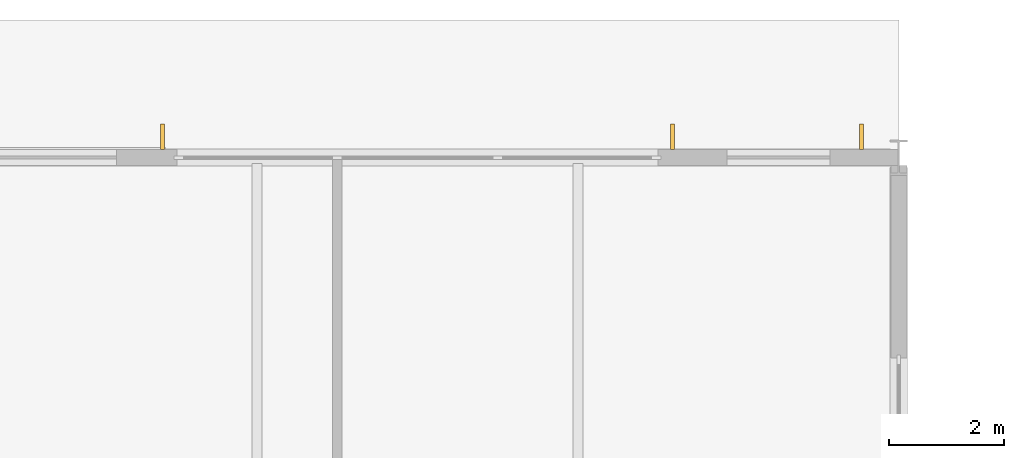
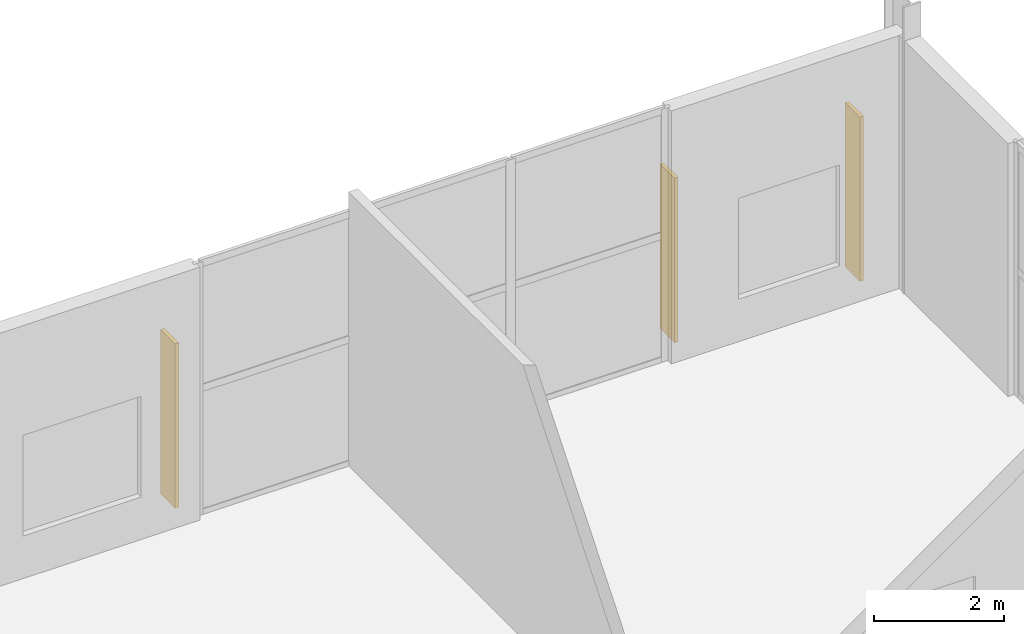
# One storey, part 86 of 87: 3 shading devices.
"""IFC4 building model written with IfcOpenShell, lengths in metres."""

from ifc_helpers import new_model, si_unit, direction, frame, origin, origin_2d, place, context, subcontext, project, spatial, rectangle, extrude, material, type_object, element, save


model = new_model("IFC4")

# Units and contexts
model_context = context("Model", 3, precision=1e-05, world=origin(), true_north=direction((0.0, 1.0)))
body_context = subcontext(model_context, "Body", "Model", "MODEL_VIEW")
ifc_project = project(units=[si_unit("LENGTHUNIT", "METRE"), si_unit("AREAUNIT", "SQUARE_METRE"), si_unit("VOLUMEUNIT", "CUBIC_METRE"), si_unit("PLANEANGLEUNIT", "RADIAN"), si_unit("MASSUNIT", "GRAM", prefix="KILO")], contexts=[model_context])

# Site, building, storey
site_placement = place(None, origin())
site = spatial("IfcSite", under=ifc_project, at=site_placement, CompositionType="ELEMENT")
building_placement = place(site_placement, origin())
building = spatial("IfcBuilding", under=site, at=building_placement, Name="Kimbaza Rail Terminus", CompositionType="ELEMENT")
storey_placement = place(building_placement, origin())
storey = spatial("IfcBuildingStorey", under=building, at=storey_placement, Name="L00", CompositionType="ELEMENT", Elevation=0.0)

# Shading devices
ifc_material = material(Name="Champagne anodised extruded aluminium", Category="aluminium")
shading_device_type = type_object("IfcShadingDeviceType", Name="ARC-SHD-FIN450", PredefinedType="USERDEFINED", material=ifc_material)
for number, where, z_axis, x_axis, name in (
    (1, (143.14990234375, 133.363037109375, 0.14990234375), (0.0, 0.0, 1.0), (1.0, 0.0, 0.0), "North Solar Fin L00 Bay 6.2"),
    (2, (152.050048828125, 133.363037109375, 0.14990234375), (0.0, 0.0, 1.0), (1.0, 0.0, 0.0), "North Solar Fin L00 Bay 6.3"),
    (3, (155.35009765625, 133.363037109375, 0.14990234375), (0.0, 0.0, 1.0), (1.0, 0.0, 0.0), "North Solar Fin L00 Bay 6.4"),
):
    element("IfcShadingDevice", number, at=place(storey_placement, frame(where, z_axis=z_axis, x_axis=x_axis)), inside=storey, type_object=shading_device_type, Name=name, ObjectType="BRISE SOLEIL FIN", PredefinedType="USERDEFINED", context=body_context, shape_type="SweptSolid", body=[
        extrude(rectangle(XDim=0.06494140625, YDim=0.449951171875, at=origin_2d()), origin(), (0.0, 0.0, 1.0), 3.10009765625),
    ])

save(model, "model.ifc")
